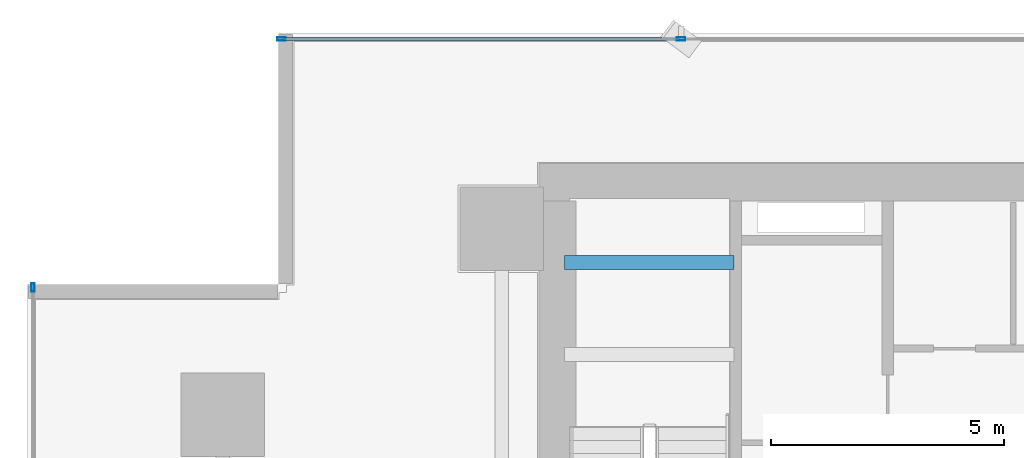
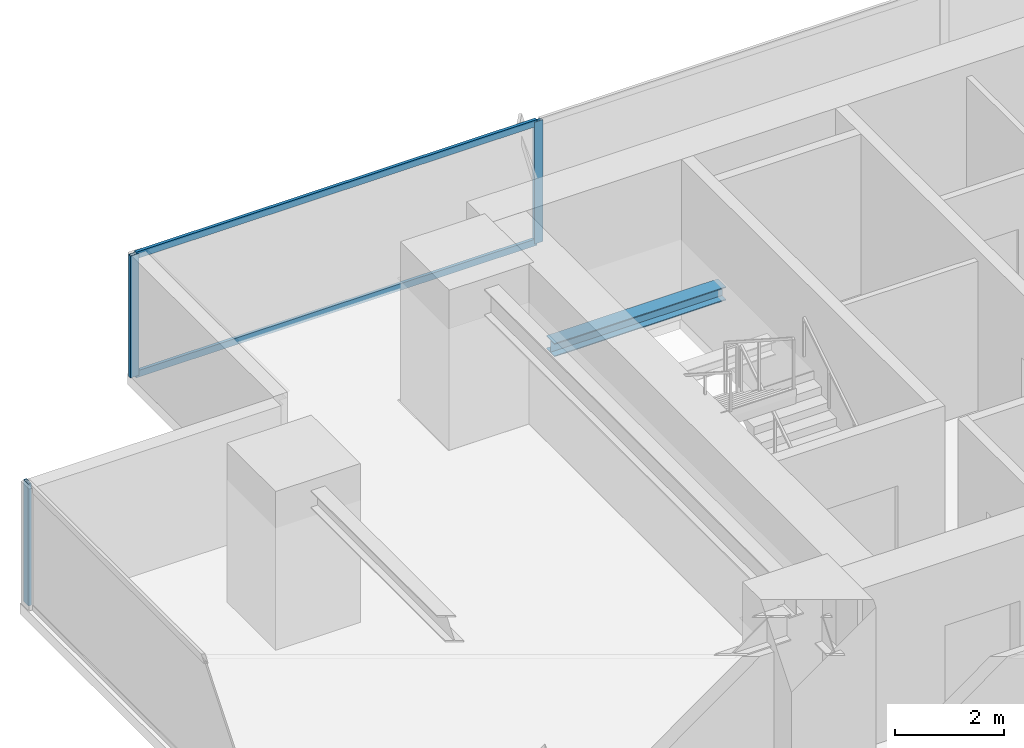
# One storey, part 18 of 34: 5 members, 1 beam, 2 elements without a shape of their own.
"""IFC4 building model written with IfcOpenShell, lengths in metres."""

from ifc_helpers import new_model, si_unit, direction, frame, origin, origin_2d, place, context, subcontext, project, spatial, hollow_rectangle, i_section, extrude, source, transform, mapped, material, layer, layer_set, material_profile, profile_set, type_object, element, aggregate, save


model = new_model("IFC4")

# Units and contexts
model_context = context("Model", 3, precision=1e-05, world=origin(), true_north=direction((0.0, 1.0)))
body_context = subcontext(model_context, "Body", "Model", "MODEL_VIEW")
ifc_project = project(units=[si_unit("LENGTHUNIT", "METRE"), si_unit("AREAUNIT", "SQUARE_METRE"), si_unit("VOLUMEUNIT", "CUBIC_METRE"), si_unit("PLANEANGLEUNIT", "RADIAN"), si_unit("MASSUNIT", "GRAM", prefix="KILO")], contexts=[model_context])

# Site, building, storey
site_placement = place(None, origin())
site = spatial("IfcSite", under=ifc_project, at=site_placement, CompositionType="ELEMENT")
building_placement = place(site_placement, origin())
building = spatial("IfcBuilding", under=site, at=building_placement, Name="Sumidabori Civic Tower", CompositionType="ELEMENT")
storey_placement = place(building_placement, frame((0.0, 0.0, 56.0)))
storey = spatial("IfcBuildingStorey", under=building, at=storey_placement, Name="L14", CompositionType="ELEMENT", Elevation=56.0)

# Beam
ifc_material_1 = material(Name="Steel SN490", Category="steel")
ifc_material_profile_1 = material_profile(ifc_material_1, i_section(OverallWidth=0.300048828125, OverallDepth=0.300048828125, WebThickness=0.010986328125, FlangeThickness=0.01904296875, at=origin_2d()), Name="HE 300 B")
ifc_profile_set_1 = profile_set([ifc_material_profile_1], Name="Steel SN490")
beam_type = type_object("IfcBeamType", Name="BM-LDG-300", PredefinedType="BEAM", material=ifc_profile_set_1)
shared_shape_1 = source(origin(), body_context, "Body", "SweptSolid", [
    extrude(i_section(OverallWidth=0.300048828125, OverallDepth=0.300048828125, WebThickness=0.010986328125, FlangeThickness=0.01904296875, at=origin_2d()), origin(), (0.0, 0.0, 1.0), 3.64990234375),
])
beam_placement = place(storey_placement, frame((-15.449951171875, 22.069580078125, 1.449951171875), z_axis=(1.0, 0.0, 0.0), x_axis=(0.0, 1.0, 0.0)))
element("IfcBeam", 1, at=beam_placement, inside=storey, type_object=beam_type, Name="Stair ST-1 Landing Trimmer Beam L14-1B", PredefinedType="BEAM", context=body_context, shape_type="MappedRepresentation", body=[
    mapped(shared_shape_1, transform((0.0, 0.0, 0.0), x_axis=(1.0, 0.0, 0.0), y_axis=(0.0, 1.0, 0.0), z_axis=(0.0, 0.0, 1.0), scale=1.0)),
])

# Curtain wall, members
ifc_material_2 = material(Name="Anodised Bronze Aluminium AW-6063-T6", Category="aluminium")
ifc_layer = layer(ifc_material_2, 0.179931640625, Name="Anodised Bronze Aluminium AW-6063-T6")
ifc_layer_set = layer_set([ifc_layer], Name="Anodised Bronze Aluminium AW-6063-T6")
curtain_wall_type = type_object("IfcCurtainWallType", Name="CW-SYS-2", PredefinedType="NOTDEFINED", material=ifc_layer_set)
curtain_wall_1_placement = place(storey_placement, origin())
curtain_wall_1 = element("IfcCurtainWall", 2, at=curtain_wall_1_placement, inside=storey, type_object=curtain_wall_type, Name="Curtain Wall CW:L14:R07", PredefinedType="NOTDEFINED")
ifc_material_profile_2 = material_profile(ifc_material_2, hollow_rectangle(XDim=0.070068359375, YDim=0.179931640625, WallThickness=0.006103515625, at=origin_2d()), Name="ALU MULLION 180x70")
ifc_profile_set_2 = profile_set([ifc_material_profile_2], Name="Anodised Bronze Aluminium AW-6063-T6")
member_type_1 = type_object("IfcMemberType", Name="CW-MUL-180", PredefinedType="MULLION", material=ifc_profile_set_2)
shared_shape_2 = source(origin(), body_context, "Body", "SweptSolid", [
    extrude(hollow_rectangle(XDim=0.070068359375, YDim=0.179931640625, WallThickness=0.006103515625, at=origin_2d()), origin(), (0.0, 0.0, 1.0), 2.739990234375),
])
member_1_placement = place(storey_placement, frame((-12.94189453125, 26.8798828125, 0.0), z_axis=(0.0, 0.0, 1.0), x_axis=(0.0, -1.0, 0.0)))
member_1 = element("IfcMember", 3, at=member_1_placement, type_object=member_type_1, Name="CW-2 mullion 5", PredefinedType="MULLION", context=body_context, shape_type="MappedRepresentation", body=[
    mapped(shared_shape_2, transform((0.0, 0.0, 0.0), x_axis=(1.0, 0.0, 0.0), y_axis=(0.0, 1.0, 0.0), z_axis=(0.0, 0.0, 1.0), scale=1.0)),
])
member_2_placement = place(storey_placement, frame((-21.534912109375, 26.8798828125, 0.0), z_axis=(0.0, 0.0, 1.0), x_axis=(0.0, -1.0, 0.0)))
member_2 = element("IfcMember", 4, at=member_2_placement, type_object=member_type_1, Name="CW-2 mullion 6", PredefinedType="MULLION", context=body_context, shape_type="MappedRepresentation", body=[
    mapped(shared_shape_2, transform((0.0, 0.0, 0.0), x_axis=(1.0, 0.0, 0.0), y_axis=(0.0, 1.0, 0.0), z_axis=(0.0, 0.0, 1.0), scale=1.0)),
])

# Curtain wall, member
curtain_wall_2_placement = place(storey_placement, origin())
curtain_wall_2 = element("IfcCurtainWall", 5, at=curtain_wall_2_placement, inside=storey, type_object=curtain_wall_type, Name="Curtain Wall CW:L14:R10", PredefinedType="NOTDEFINED")
member_3_placement = place(storey_placement, frame((-26.8798828125, 21.534912109375, 0.0), z_axis=(0.0, 0.0, 1.0), x_axis=(1.0, 0.0, 0.0)))
member_3 = element("IfcMember", 6, at=member_3_placement, type_object=member_type_1, Name="CW-2 mullion 1", PredefinedType="MULLION", context=body_context, shape_type="MappedRepresentation", body=[
    mapped(shared_shape_2, transform((0.0, 0.0, 0.0), x_axis=(1.0, 0.0, 0.0), y_axis=(0.0, 1.0, 0.0), z_axis=(0.0, 0.0, 1.0), scale=1.0)),
])
aggregate(curtain_wall_2, [member_3])

# Member
ifc_material_profile_3 = material_profile(ifc_material_2, hollow_rectangle(XDim=0.06494140625, YDim=0.14990234375, WallThickness=0.0048828125, at=origin_2d()), Name="ALU TRANSOM 150x65")
ifc_profile_set_3 = profile_set([ifc_material_profile_3], Name="Anodised Bronze Aluminium AW-6063-T6")
member_type_2 = type_object("IfcMemberType", Name="CW-TRN-150", PredefinedType="USERDEFINED", material=ifc_profile_set_3)
shared_shape_3 = source(origin(), body_context, "Body", "SweptSolid", [
    extrude(hollow_rectangle(XDim=0.06494140625, YDim=0.14990234375, WallThickness=0.0048828125, at=origin_2d()), origin(), (0.0, 0.0, 1.0), 8.52294921875),
])
member_4_placement = place(storey_placement, frame((-12.97705078125, 26.8798828125, 0.032470703125), z_axis=(-1.0, 0.0, 0.0), x_axis=(0.0, -1.0, 0.0)))
member_4 = element("IfcMember", 7, at=member_4_placement, type_object=member_type_2, Name="CW-2 transom 5.1", ObjectType="TRANSOM", PredefinedType="USERDEFINED", context=body_context, shape_type="MappedRepresentation", body=[
    mapped(shared_shape_3, transform((0.0, 0.0, 0.0), x_axis=(1.0, 0.0, 0.0), y_axis=(0.0, 1.0, 0.0), z_axis=(0.0, 0.0, 1.0), scale=1.0)),
])

member_5_placement = place(storey_placement, frame((-12.97705078125, 26.8798828125, 2.70751953125), z_axis=(-1.0, 0.0, 0.0), x_axis=(0.0, -1.0, 0.0)))
member_5 = element("IfcMember", 8, at=member_5_placement, type_object=member_type_2, Name="CW-2 transom 5.2", ObjectType="TRANSOM", PredefinedType="USERDEFINED", context=body_context, shape_type="MappedRepresentation", body=[
    mapped(shared_shape_3, transform((0.0, 0.0, 0.0), x_axis=(1.0, 0.0, 0.0), y_axis=(0.0, 1.0, 0.0), z_axis=(0.0, 0.0, 1.0), scale=1.0)),
])

aggregate(curtain_wall_1, [member_1, member_2, member_4, member_5])

save(model, "model.ifc")
